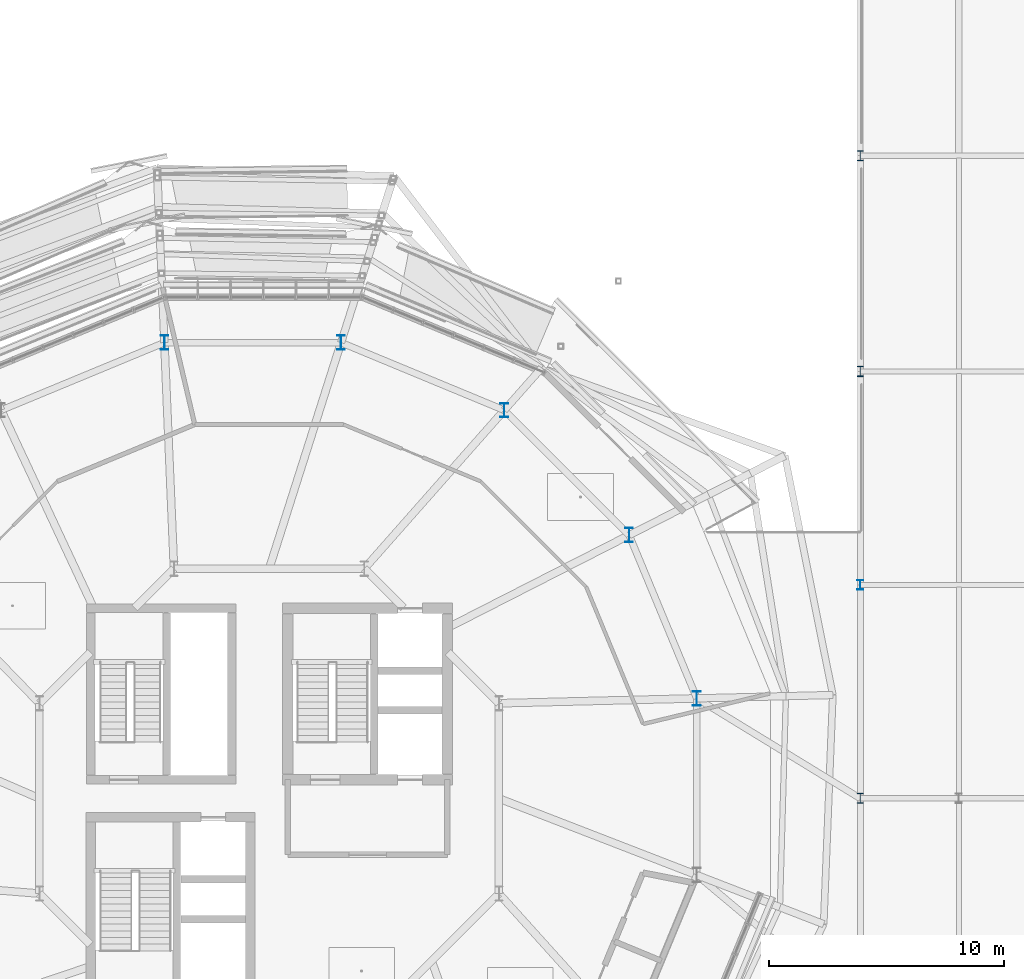
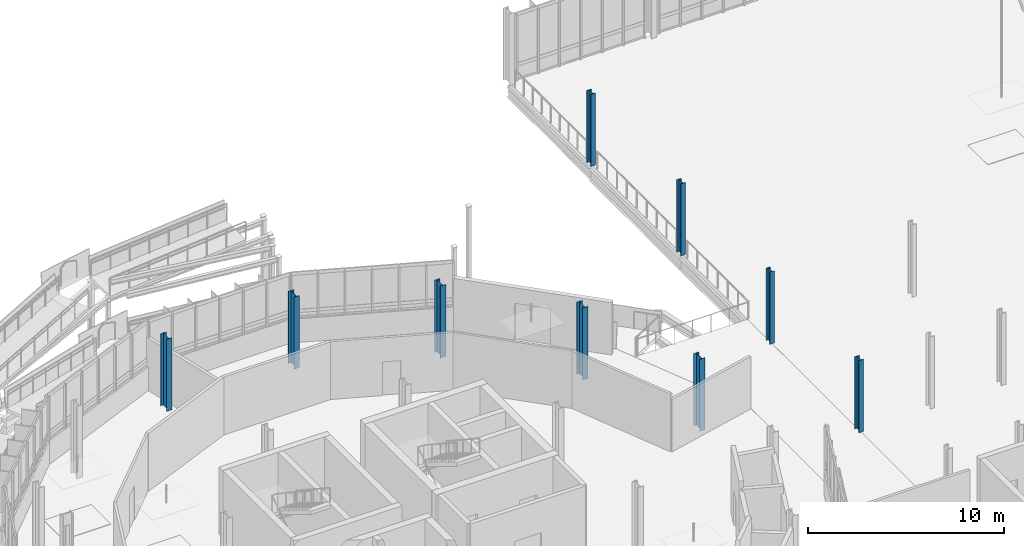
# One storey, part 9 of 139: 9 columns.
"""IFC4 building model written with IfcOpenShell, lengths in metres."""

from ifc_helpers import new_model, si_unit, derived_unit, direction, frame, origin, origin_2d, place, context, subcontext, project, spatial, i_section, extrude, material, material_profile, profile_set, type_object, element, save


model = new_model("IFC4")

# Units and contexts
model_context = context("Model", 3, precision=1e-05, world=origin(), true_north=direction((0.0, 1.0)))
body_context = subcontext(model_context, "Body", "Model", "MODEL_VIEW")
ifc_project = project(units=[si_unit("LENGTHUNIT", "METRE"), si_unit("AREAUNIT", "SQUARE_METRE"), si_unit("VOLUMEUNIT", "CUBIC_METRE"), si_unit("PLANEANGLEUNIT", "RADIAN"), si_unit("MASSUNIT", "GRAM", prefix="KILO"), derived_unit("THERMALTRANSMITTANCEUNIT", [(si_unit("MASSUNIT", "GRAM", prefix="KILO"), 1), (si_unit("TIMEUNIT", "SECOND"), -3), (si_unit("THERMODYNAMICTEMPERATUREUNIT", "KELVIN"), -1)])], contexts=[model_context])

# Site, building, storey
site_placement = place(None, origin())
site = spatial("IfcSite", under=ifc_project, at=site_placement, CompositionType="ELEMENT")
building_placement = place(site_placement, origin())
building = spatial("IfcBuilding", under=site, at=building_placement, Name="Makaiwela Harbour Ferry Terminal", CompositionType="ELEMENT")
storey_placement = place(building_placement, frame((0.0, 0.0, 5.10009765625)))
storey = spatial("IfcBuildingStorey", under=building, at=storey_placement, Name="L01", CompositionType="ELEMENT", Elevation=5.10009765625)

# Columns
ifc_material = material(Name="Steel ASTM A992 Grade 50", Category="steel")
ifc_material_profile_1 = material_profile(ifc_material, i_section(OverallWidth=0.264892578125, OverallDepth=0.430908203125, WebThickness=0.014892578125, FlangeThickness=0.02490234375, at=origin_2d()), Name="W16X100")
ifc_profile_set_1 = profile_set([ifc_material_profile_1], Name="Steel ASTM A992 Grade 50")
column_type_1 = type_object("IfcColumnType", Name="STR-COL-W16X100", PredefinedType="COLUMN", material=ifc_profile_set_1)
for number, where, z_axis, x_axis, name in (
    (1, (63.0, 67.60009765625, 0.0), (0.0, 0.0, 1.0), (1.0, 0.0, 0.0), "Structural Column C-03"),
    (2, (63.0, 85.800048828125, 0.0), (0.0, 0.0, 1.0), (1.0, 0.0, 0.0), "Structural Column C-03"),
    (3, (63.0, 95.0, 0.0), (0.0, 0.0, 1.0), (1.0, 0.0, 0.0), "Structural Column C-03"),
):
    element("IfcColumn", number, at=place(storey_placement, frame(where, z_axis=z_axis, x_axis=x_axis)), inside=storey, type_object=column_type_1, Name=name, PredefinedType="COLUMN", context=body_context, shape_type="SweptSolid", body=[
        extrude(i_section(OverallWidth=0.264892578125, OverallDepth=0.430908203125, WebThickness=0.014892578125, FlangeThickness=0.02490234375, at=origin_2d()), origin(), (0.0, 0.0, 1.0), 4.5),
    ])
ifc_material_profile_2 = material_profile(ifc_material, i_section(OverallWidth=0.260986328125, OverallDepth=0.4189453125, WebThickness=0.01171875, FlangeThickness=0.019287109375, at=origin_2d()), Name="W16X77")
ifc_profile_set_2 = profile_set([ifc_material_profile_2], Name="Steel ASTM A992 Grade 50")
column_type_2 = type_object("IfcColumnType", Name="STR-COL-W16X77", PredefinedType="COLUMN", material=ifc_profile_set_2)
column_placement = place(storey_placement, frame((63.0, 76.699951171875, 0.0), z_axis=(0.0, 0.0, 1.0), x_axis=(1.0, 0.0, 0.0)))
element("IfcColumn", 4, at=column_placement, inside=storey, type_object=column_type_2, Name="Structural Column C-04", PredefinedType="COLUMN", context=body_context, shape_type="SweptSolid", body=[
    extrude(i_section(OverallWidth=0.260986328125, OverallDepth=0.4189453125, WebThickness=0.01171875, FlangeThickness=0.019287109375, at=origin_2d()), origin(), (0.0, 0.0, 1.0), 4.5),
])
ifc_material_profile_3 = material_profile(ifc_material, i_section(OverallWidth=0.324951171875, OverallDepth=0.615966796875, WebThickness=0.013916015625, FlangeThickness=0.021484375, at=origin_2d()), Name="W24X117")
ifc_profile_set_3 = profile_set([ifc_material_profile_3], Name="Steel ASTM A992 Grade 50")
column_type_3 = type_object("IfcColumnType", Name="STR-COL-W24X117", PredefinedType="COLUMN", material=ifc_profile_set_3)
for number, where, z_axis, x_axis, name in (
    (5, (56.029296875, 71.865234375, 0.0), (0.0, 0.0, 1.0), (1.0, 0.0, 0.0), "Structural Column C-02"),
    (6, (53.1474609375, 78.822509765625, 0.0), (0.0, 0.0, 1.0), (1.0, 0.0, 0.0), "Structural Column C-02"),
    (7, (47.822509765625, 84.1474609375, 0.0), (0.0, 0.0, 1.0), (1.0, 0.0, 0.0), "Structural Column C-02"),
    (8, (40.865234375, 87.029296875, 0.0), (0.0, 0.0, 1.0), (1.0, 0.0, 0.0), "Structural Column C-02"),
    (9, (33.334716796875, 87.029296875, 0.0), (0.0, 0.0, 1.0), (1.0, 0.0, 0.0), "Structural Column C-02"),
):
    element("IfcColumn", number, at=place(storey_placement, frame(where, z_axis=z_axis, x_axis=x_axis)), inside=storey, type_object=column_type_3, Name=name, PredefinedType="COLUMN", context=body_context, shape_type="SweptSolid", body=[
        extrude(i_section(OverallWidth=0.324951171875, OverallDepth=0.615966796875, WebThickness=0.013916015625, FlangeThickness=0.021484375, at=origin_2d()), origin(), (0.0, 0.0, 1.0), 4.5),
    ])

save(model, "model.ifc")
